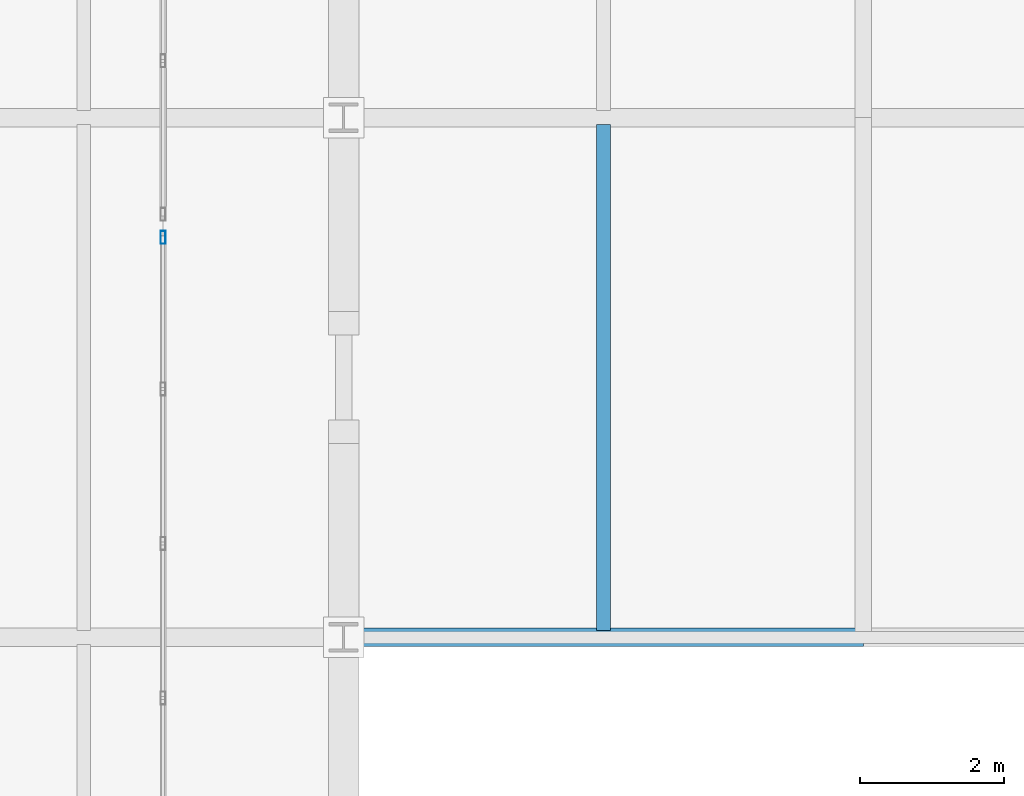
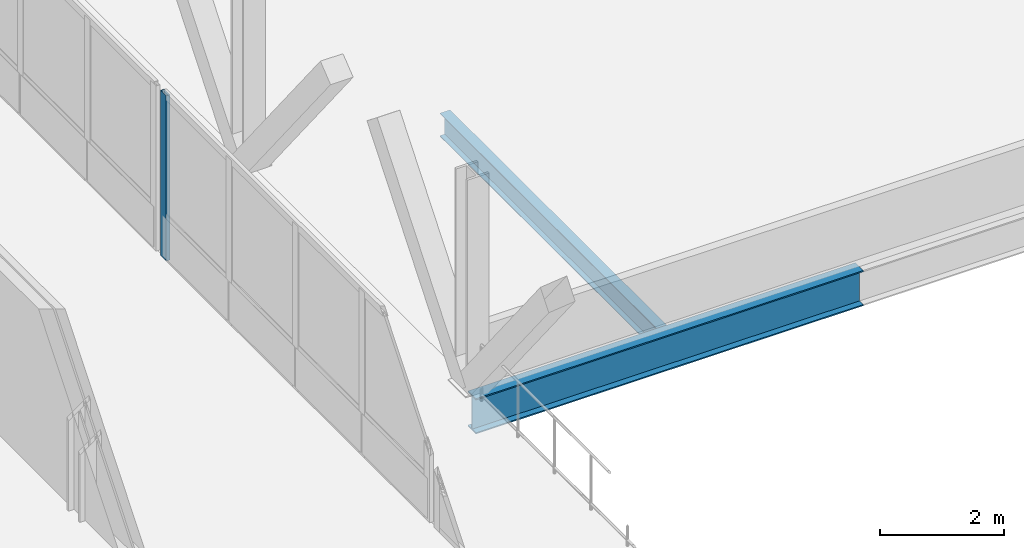
# One storey, part 20 of 102: 2 beams, 1 member, 1 element without a shape of its own.
"""IFC4 building model written with IfcOpenShell, lengths in metres."""

from ifc_helpers import new_model, si_unit, direction, frame, origin, origin_2d, place, context, subcontext, project, spatial, hollow_rectangle, i_section, extrude, material, material_profile, profile_set, type_object, element, aggregate, save


model = new_model("IFC4")

# Units and contexts
model_context = context("Model", 3, precision=1e-05, world=origin(), true_north=direction((0.0, 1.0)))
body_context = subcontext(model_context, "Body", "Model", "MODEL_VIEW")
ifc_project = project(units=[si_unit("LENGTHUNIT", "METRE"), si_unit("AREAUNIT", "SQUARE_METRE"), si_unit("VOLUMEUNIT", "CUBIC_METRE"), si_unit("PLANEANGLEUNIT", "RADIAN"), si_unit("MASSUNIT", "GRAM", prefix="KILO")], contexts=[model_context])

# Site, building, storey
site_placement = place(None, origin())
site = spatial("IfcSite", under=ifc_project, at=site_placement, CompositionType="ELEMENT")
building_placement = place(site_placement, origin())
building = spatial("IfcBuilding", under=site, at=building_placement, Name="Yarey Park Central Fire Station", CompositionType="ELEMENT")
storey_placement = place(building_placement, frame((0.0, 0.0, 6.0)))
storey = spatial("IfcBuildingStorey", under=building, at=storey_placement, Name="L02", CompositionType="ELEMENT", Elevation=6.0)

# Curtain wall, member
ifc_material_1 = material(Name="Anodized Aluminium Frame", Category="aluminium")
curtain_wall_type = type_object("IfcCurtainWallType", Name="ENV_CW_V3_GALW", PredefinedType="NOTDEFINED", material=ifc_material_1)
curtain_wall_placement = place(storey_placement, origin())
curtain_wall = element("IfcCurtainWall", 1, at=curtain_wall_placement, inside=storey, type_object=curtain_wall_type, Name="CW_L02_V1_E_038", PredefinedType="NOTDEFINED")
ifc_material_profile_1 = material_profile(ifc_material_1, hollow_rectangle(XDim=0.070068359375, YDim=0.179931640625, WallThickness=0.00390625, at=origin_2d()), Name="ALU 180x70x4")
ifc_profile_set_1 = profile_set([ifc_material_profile_1], Name="Anodized Aluminium Frame")
member_type = type_object("IfcMemberType", Name="ENV_CW_MULLION", PredefinedType="MULLION", material=ifc_profile_set_1)
member_placement = place(storey_placement, frame((55.10009765625, 41.5400390625, 0.0), z_axis=(0.0, 0.0, 1.0), x_axis=(1.0, 0.0, 0.0)))
member = element("IfcMember", 2, at=member_placement, type_object=member_type, Name="CW_L02_V1_E_038_MUL5", PredefinedType="MULLION", context=body_context, shape_type="SweptSolid", body=[
    extrude(hollow_rectangle(XDim=0.070068359375, YDim=0.179931640625, WallThickness=0.00390625, at=origin_2d()), origin(), (0.0, 0.0, 1.0), 3.2470703125),
])
aggregate(curtain_wall, [member])

# Beams
ifc_material_2 = material(Name="Steel ASTM A992 Gr. 50", Category="steel")
ifc_material_profile_2 = material_profile(ifc_material_2, i_section(OverallWidth=0.256103515625, OverallDepth=0.693115234375, WebThickness=0.014404296875, FlangeThickness=0.023681640625, at=origin_2d()), Name="W690x170")
ifc_profile_set_2 = profile_set([ifc_material_profile_2], Name="Steel ASTM A992 Gr. 50")
beam_type_1 = type_object("IfcBeamType", Name="STR_BM_W690", PredefinedType="BEAM", material=ifc_profile_set_2)
beam_1_placement = place(storey_placement, frame((57.60009765625, 36.0, -0.556396484375), z_axis=(1.0, 0.0, 0.0), x_axis=(0.0, 1.0, 0.0)))
element("IfcBeam", 3, at=beam_1_placement, inside=storey, type_object=beam_type_1, Name="BMX L02 Y360 X576", PredefinedType="BEAM", context=body_context, shape_type="SweptSolid", body=[
    extrude(i_section(OverallWidth=0.256103515625, OverallDepth=0.693115234375, WebThickness=0.014404296875, FlangeThickness=0.023681640625, at=origin_2d()), origin(), (0.0, 0.0, 1.0), 7.199951171875),
])
ifc_material_profile_3 = material_profile(ifc_material_2, i_section(OverallWidth=0.18994140625, OverallDepth=0.45703125, WebThickness=0.009033203125, FlangeThickness=0.014404296875, at=origin_2d()), Name="W460x74")
ifc_profile_set_3 = profile_set([ifc_material_profile_3], Name="Steel ASTM A992 Gr. 50")
beam_type_2 = type_object("IfcBeamType", Name="STR_JST_W460", PredefinedType="JOIST", material=ifc_profile_set_3)
beam_2_placement = place(storey_placement, frame((61.199951171875, 36.094970703125, -0.4384765625), z_axis=(0.0, 1.0, 0.0), x_axis=(-1.0, 0.0, 0.0)))
element("IfcBeam", 4, at=beam_2_placement, inside=storey, type_object=beam_type_2, Name="JST L02 X612 Y360", PredefinedType="JOIST", context=body_context, shape_type="SweptSolid", body=[
    extrude(i_section(OverallWidth=0.18994140625, OverallDepth=0.45703125, WebThickness=0.009033203125, FlangeThickness=0.014404296875, at=origin_2d()), origin(), (0.0, 0.0, 1.0), 7.010009765625),
])

save(model, "model.ifc")
